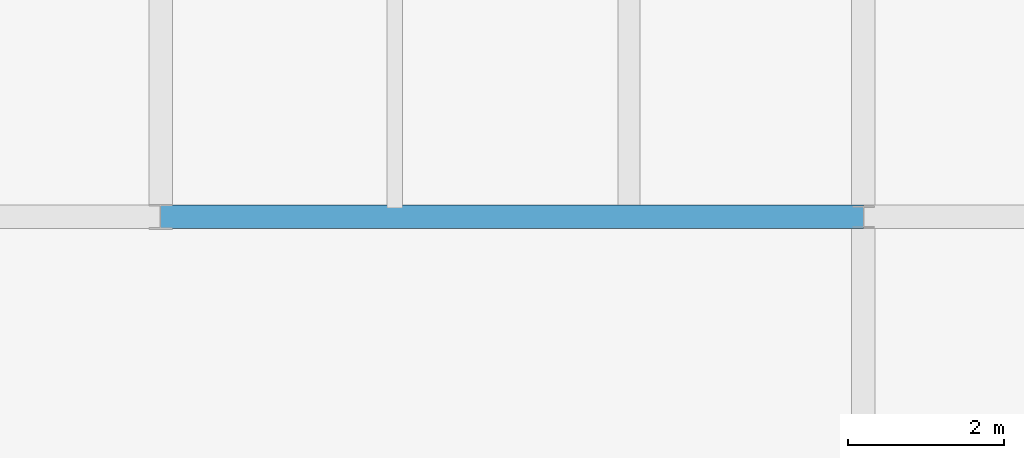
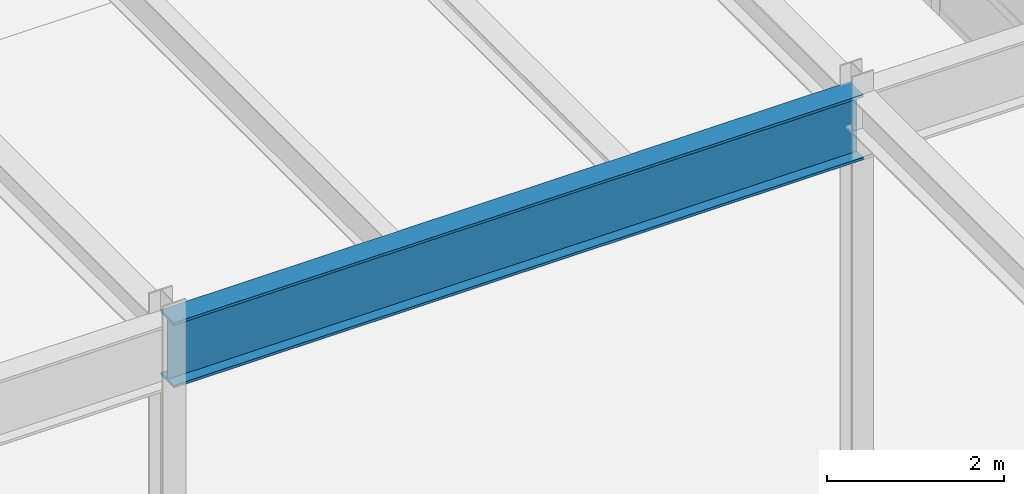
# One storey, part 67 of 143: 1 beam.
"""IFC4 building model written with IfcOpenShell, lengths in metres."""

import ifcopenshell
import ifcopenshell.guid

model = None  # the IFC model being written
_history = None  # IfcOwnerHistory: only IFC2X3 demands one
_inside = {}  # id of a spatial element -> (the spatial element, [elements in it])
_under = {}  # id of a project, library or spatial element -> (it, [spatial elements below it])
_declared = {}  # id of a project -> (the project, [libraries it declares])
_typed = {}  # id of a type object -> (the type object, [elements of that type])
_made_of = {}  # id of a material, layer set ... -> (it, [elements and type objects made of it])


def new_model(schema):
    """Start an empty IFC model of exactly this schema.

    Asked for "IFC4X3", IfcOpenShell would pick the latest addendum, in which some entities
    have other attributes; the version numbers below select the first issue.
    IFC2X3 requires an IfcOwnerHistory on every rooted entity: one is made here for all.
    """
    global model, _history
    if schema == "IFC4X3":
        model = ifcopenshell.file(schema_version=(4, 3, 0, 0))
    else:
        model = ifcopenshell.file(schema=schema)
    _inside.clear()
    _under.clear()
    _declared.clear()
    _typed.clear()
    _made_of.clear()
    _history = None
    if model.schema == "IFC2X3":
        org = make("IfcOrganization", Name="unknown")
        user = make(
            "IfcPersonAndOrganization",
            ThePerson=make("IfcPerson", FamilyName="unknown"),
            TheOrganization=org,
        )
        app = make(
            "IfcApplication",
            ApplicationDeveloper=org,
            Version="unknown",
            ApplicationFullName="unknown",
            ApplicationIdentifier="unknown",
        )
        _history = make(
            "IfcOwnerHistory",
            OwningUser=user,
            OwningApplication=app,
            ChangeAction="ADDED",
            CreationDate=0,
        )
    return model


def make(cls, **values):
    """One entity of the class cls with the attributes given. An attribute that is None is left unset."""
    return model.create_entity(
        cls, **{name: value for name, value in values.items() if value is not None}
    )


def rooted(cls, **values):
    """An entity with a GlobalId (a new one), such as an element, a storey or a relation."""
    return make(cls, GlobalId=ifcopenshell.guid.new(), OwnerHistory=_history, **values)


def si_unit(unit_type, name, prefix=None):
    """IfcSIUnit, for example si_unit("LENGTHUNIT", "METRE", prefix="MILLI")."""
    return make("IfcSIUnit", UnitType=unit_type, Prefix=prefix, Name=name)


def assignment(units):
    """IfcUnitAssignment: the units of a project."""
    return None if units is None else make("IfcUnitAssignment", Units=units)


def point(xyz):
    """IfcCartesianPoint."""
    return None if xyz is None else make("IfcCartesianPoint", Coordinates=xyz)


def direction(xyz):
    """IfcDirection."""
    return None if xyz is None else make("IfcDirection", DirectionRatios=xyz)


def frame(location, z_axis=None, x_axis=None):
    """IfcAxis2Placement3D, a coordinate frame: its origin and axes. An axis left out is left unset."""
    return make(
        "IfcAxis2Placement3D",
        Location=point(location),
        Axis=direction(z_axis),
        RefDirection=direction(x_axis),
    )


def frame_2d(location, x_axis=None):
    """IfcAxis2Placement2D, a coordinate frame in the plane: its origin and x axis."""
    return make(
        "IfcAxis2Placement2D", Location=point(location), RefDirection=direction(x_axis)
    )


def origin():
    """The frame at (0, 0, 0) with its axes left unset."""
    return frame((0.0, 0.0, 0.0))


def origin_2d():
    """The frame at (0, 0) in the plane with its x axis left unset."""
    return frame_2d((0.0, 0.0))


def place(relative_to, where):
    """IfcLocalPlacement: puts the frame where relative to a parent placement (None: the world)."""
    return make(
        "IfcLocalPlacement", PlacementRelTo=relative_to, RelativePlacement=where
    )


def context(
    kind, dimensions, precision=None, world=None, true_north=None, identifier=None
):
    """IfcGeometricRepresentationContext, for example the 3D "Model" context."""
    return make(
        "IfcGeometricRepresentationContext",
        ContextIdentifier=identifier,
        ContextType=kind,
        CoordinateSpaceDimension=dimensions,
        Precision=precision,
        WorldCoordinateSystem=world,
        TrueNorth=true_north,
    )


def subcontext(parent, identifier, kind, view, scale=None):
    """IfcGeometricRepresentationSubContext, for example "Body" below "Model"."""
    return make(
        "IfcGeometricRepresentationSubContext",
        ContextIdentifier=identifier,
        ContextType=kind,
        ParentContext=parent,
        TargetScale=scale,
        TargetView=view,
    )


def project(units=None, contexts=None):
    """IfcProject with its units and contexts."""
    return rooted(
        "IfcProject",
        Name="project",
        RepresentationContexts=contexts,
        UnitsInContext=assignment(units),
    )


def spatial(cls, under=None, at=None, **own):
    """A site, building, storey or space (cls), placed at a placement, below another one or the project."""
    s = rooted(cls, ObjectPlacement=at, **own)
    if under is not None:
        _under.setdefault(under.id(), (under, []))[1].append(s)
    return s


def profile(cls, at=None, kind="AREA", **sizes):
    """A parametric profile (cls). Its sizes go by their IFC names, for example OverallWidth=200.0."""
    return make(cls, ProfileType=kind, Position=at, **sizes)


def i_section(**sizes):
    """IfcIShapeProfileDef."""
    return profile("IfcIShapeProfileDef", **sizes)


def extrude(swept, where, along, depth):
    """IfcExtrudedAreaSolid: the profile swept, set in the frame where, extruded along a direction by depth."""
    return make(
        "IfcExtrudedAreaSolid",
        SweptArea=swept,
        Position=where,
        ExtrudedDirection=direction(along),
        Depth=depth,
    )


def shape(context_of_items, identifier, shape_type, items):
    """IfcShapeRepresentation: the items that make up one representation, for example the "Body"."""
    return make(
        "IfcShapeRepresentation",
        ContextOfItems=context_of_items,
        RepresentationIdentifier=identifier,
        RepresentationType=shape_type,
        Items=items,
    )


def material(Name=None, Category=None):
    """IfcMaterial."""
    return make("IfcMaterial", Name=Name, Category=Category)


def material_profile(
    of_material, cross_section, Name=None, Category=None, Priority=None
):
    """IfcMaterialProfile: a cross section and its material."""
    return make(
        "IfcMaterialProfile",
        Name=Name,
        Material=of_material,
        Profile=cross_section,
        Priority=Priority,
        Category=Category,
    )


def profile_set(profiles, Name=None, composite=None):
    """IfcMaterialProfileSet."""
    return make(
        "IfcMaterialProfileSet",
        Name=Name,
        MaterialProfiles=profiles,
        CompositeProfile=composite,
    )


def made_of(thing, what):
    """Note that an element or type object is made of a material, layer set ...; save() writes the relation."""
    if what is not None:
        _made_of.setdefault(what.id(), (what, []))[1].append(thing)
    return thing


def type_object(cls, material=None, **own):
    """A type object (cls), such as IfcWallType, which elements share."""
    return made_of(rooted(cls, **own), material)


def element(
    cls,
    number,
    at=None,
    inside=None,
    cuts=None,
    type_object=None,
    material=None,
    context=None,
    identifier="Body",
    shape_type=None,
    held_by="IfcProductDefinitionShape",
    body=None,
    shapes=None,
    **own,
):
    """One element of the class cls, such as IfcWall. Its Tag is "e" and its number.

    at: its placement. inside: the storey or other place that contains it. cuts: it is an
    opening in that element (IfcRelVoidsElement). A single representation is given by context,
    identifier, shape_type and body (its items); several are given by shapes. held_by: the class
    of the entity that holds the representations. save() writes the other relations.
    """
    e = rooted(cls, Tag="e%d" % number, ObjectPlacement=at, **own)
    if body is not None:
        shapes = [shape(context, identifier, shape_type, body)]
    if shapes is not None:
        e.Representation = make(held_by, Representations=shapes)
    if inside is not None:
        _inside.setdefault(inside.id(), (inside, []))[1].append(e)
    if cuts is not None:
        rooted(
            "IfcRelVoidsElement", RelatingBuildingElement=cuts, RelatedOpeningElement=e
        )
    if type_object is not None:
        _typed.setdefault(type_object.id(), (type_object, []))[1].append(e)
    return made_of(e, material)


def aggregate(whole, parts):
    """IfcRelAggregates: a whole, such as a stair, and the parts it consists of."""
    return rooted("IfcRelAggregates", RelatingObject=whole, RelatedObjects=parts)


def save(model, path):
    """Write the relations noted so far, then the file.

    IfcRelAggregates (storeys below a building ...), IfcRelContainedInSpatialStructure (elements
    in a storey), IfcRelDefinesByType, IfcRelAssociatesMaterial and IfcRelDeclares: one each for
    every whole, place, type object, material and project.
    """
    for whole, parts in _under.values():
        aggregate(whole, parts)
    for where, things in _inside.values():
        rooted(
            "IfcRelContainedInSpatialStructure",
            RelatedElements=things,
            RelatingStructure=where,
        )
    for kind, things in _typed.values():
        rooted("IfcRelDefinesByType", RelatedObjects=things, RelatingType=kind)
    for what, things in _made_of.values():
        rooted("IfcRelAssociatesMaterial", RelatedObjects=things, RelatingMaterial=what)
    for by, libraries in _declared.values():
        rooted("IfcRelDeclares", RelatingContext=by, RelatedDefinitions=libraries)
    model.write(path)


model = new_model("IFC4")

# Units and contexts
model_context = context("Model", 3, precision=1e-05, world=origin(), true_north=direction((0.0, 1.0)))
body_context = subcontext(model_context, "Body", "Model", "MODEL_VIEW")
ifc_project = project(units=[si_unit("LENGTHUNIT", "METRE"), si_unit("AREAUNIT", "SQUARE_METRE"), si_unit("VOLUMEUNIT", "CUBIC_METRE"), si_unit("PLANEANGLEUNIT", "RADIAN"), si_unit("MASSUNIT", "GRAM", prefix="KILO")], contexts=[model_context])

# Site, building, storey
site_placement = place(None, origin())
site = spatial("IfcSite", under=ifc_project, at=site_placement, CompositionType="ELEMENT")
building_placement = place(site_placement, origin())
building = spatial("IfcBuilding", under=site, at=building_placement, Name="Montelvaro Courts of Justice", CompositionType="ELEMENT")
storey_placement = place(building_placement, origin())
storey = spatial("IfcBuildingStorey", under=building, at=storey_placement, Name="L00", CompositionType="ELEMENT", Elevation=0.0)

# Beam
ifc_material = material(Name="Steel S355", Category="steel")
ifc_material_profile = material_profile(ifc_material, i_section(OverallWidth=0.300048828125, OverallDepth=0.89990234375, WebThickness=0.0185546875, FlangeThickness=0.034912109375, at=origin_2d()), Name="HEB 900")
ifc_profile_set = profile_set([ifc_material_profile], Name="Steel S355")
beam_type = type_object("IfcBeamType", Name="Beam_HEB900", PredefinedType="USERDEFINED", material=ifc_profile_set)
beam_placement = place(storey_placement, frame((63.0, 66.0, 4.669921875), z_axis=(1.0, 0.0, 0.0), x_axis=(0.0, 1.0, 0.0)))
element("IfcBeam", 1, at=beam_placement, inside=storey, type_object=beam_type, Name="Beam B-30 L00", ObjectType="GIRDER", PredefinedType="USERDEFINED", context=body_context, shape_type="SweptSolid", body=[
    extrude(i_section(OverallWidth=0.300048828125, OverallDepth=0.89990234375, WebThickness=0.0185546875, FlangeThickness=0.034912109375, at=origin_2d()), origin(), (0.0, 0.0, 1.0), 9.0),
])

save(model, "model.ifc")
